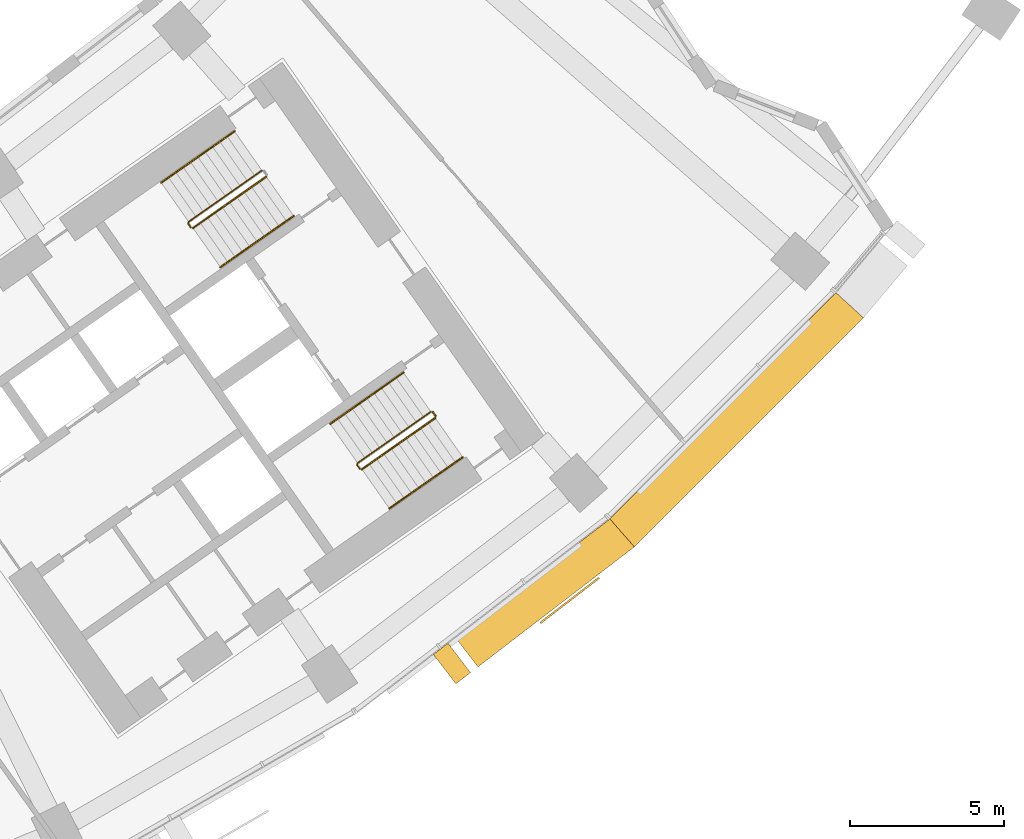
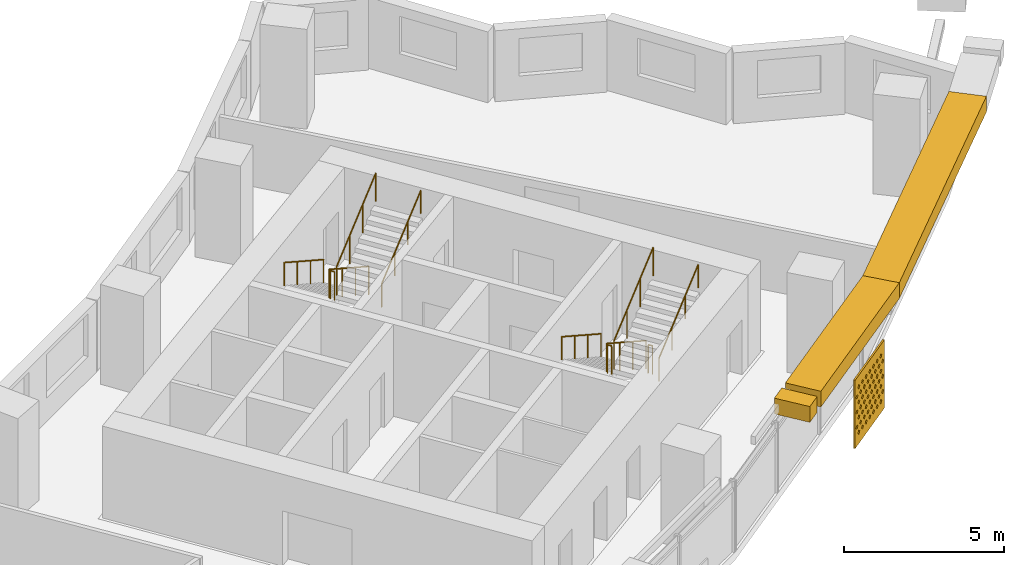
# One storey, part 28 of 29: 9 railings, 4 shading devices.
"""IFC4 building model written with IfcOpenShell, lengths in metres."""

from ifc_helpers import new_model, si_unit, direction, frame, origin, origin_2d, place, context, subcontext, project, spatial, polyline, circle, outline, extrude, material, material_profile, profile_set, type_object, element, save


model = new_model("IFC4")

# Units and contexts
model_context = context("Model", 3, precision=1e-05, world=origin(), true_north=direction((0.0, 1.0)))
body_context = subcontext(model_context, "Body", "Model", "MODEL_VIEW")
ifc_project = project(units=[si_unit("LENGTHUNIT", "METRE"), si_unit("AREAUNIT", "SQUARE_METRE"), si_unit("VOLUMEUNIT", "CUBIC_METRE"), si_unit("PLANEANGLEUNIT", "RADIAN"), si_unit("MASSUNIT", "GRAM", prefix="KILO")], contexts=[model_context])

# Site, building, storey
site_placement = place(None, origin())
site = spatial("IfcSite", under=ifc_project, at=site_placement, CompositionType="ELEMENT")
building_placement = place(site_placement, origin())
building = spatial("IfcBuilding", under=site, at=building_placement, Name="Qamariyya Broadcast Tower", CompositionType="ELEMENT")
storey_placement = place(building_placement, frame((0.0, 0.0, 121.5)))
storey = spatial("IfcBuildingStorey", under=building, at=storey_placement, Name="L27", CompositionType="ELEMENT", Elevation=121.5)

# Shading devices
ifc_material_1 = material(Name="Steel S355 powder coated deep red", Category="steel")
shading_device_type_1 = type_object("IfcShadingDeviceType", Name="Deep red frame, powder coated steel box section", PredefinedType="USERDEFINED", material=ifc_material_1)
shading_device_1_placement = place(storey_placement, frame((0.0, 0.0, 3.199951171875)))
element("IfcShadingDevice", 1, at=shading_device_1_placement, inside=storey, type_object=shading_device_type_1, Name="e-frm-B2-F4-posta-L27", ObjectType="FRAME", PredefinedType="USERDEFINED", context=body_context, shape_type="SweptSolid", body=[
    extrude(outline(polyline([(46.561767578125, -64.01318359375), (47.29248046875, -64.96533203125), (47.768310546875, -64.60009765625), (47.037841796875, -63.64794921875), (46.561767578125, -64.01318359375)])), origin(), (0.0, 0.0, 1.0), 0.60009765625),
])
shading_device_2_placement = place(storey_placement, frame((0.0, 0.0, 3.199951171875)))
element("IfcShadingDevice", 2, at=shading_device_2_placement, inside=storey, type_object=shading_device_type_1, Name="e-frm-B2-F4-bot0", ObjectType="FRAME", PredefinedType="USERDEFINED", context=body_context, shape_type="SweptSolid", body=[
    extrude(outline(polyline([(47.27587890625, -63.46533203125), (48.00634765625, -64.41748046875), (53.0791015625, -60.525146484375), (52.2861328125, -59.620849609375), (47.27587890625, -63.46533203125)])), origin(), (0.0, 0.0, 1.0), 0.60009765625),
])
shading_device_3_placement = place(storey_placement, frame((0.0, 0.0, 3.199951171875)))
element("IfcShadingDevice", 3, at=shading_device_3_placement, inside=storey, type_object=shading_device_type_1, Name="e-frm-B2-F4-bot1", ObjectType="FRAME", PredefinedType="USERDEFINED", context=body_context, shape_type="SweptSolid", body=[
    extrude(outline(polyline([(52.2861328125, -59.620849609375), (53.0791015625, -60.525146484375), (60.50537109375, -53.0986328125), (59.620849609375, -52.2861328125), (52.2861328125, -59.620849609375)])), origin(), (0.0, 0.0, 1.0), 0.60009765625),
])
ifc_material_2 = material(Name="Perforated glazed terracotta", Category="masonry")
ifc_material_profile = material_profile(ifc_material_2, outline(polyline([(-1.199951171875, -1.300048828125), (1.199951171875, -1.300048828125), (1.199951171875, 1.300048828125), (-1.199951171875, 1.300048828125), (-1.199951171875, -1.300048828125)]), holes=[polyline([(-0.81494140625, -0.86669921875), (-0.89990234375, -0.78173828125), (-0.985107421875, -0.86669921875), (-0.89990234375, -0.95166015625), (-0.81494140625, -0.86669921875)]), polyline([(-0.514892578125, -0.86669921875), (-0.60009765625, -0.78173828125), (-0.68505859375, -0.86669921875), (-0.60009765625, -0.95166015625), (-0.514892578125, -0.86669921875)]), polyline([(-0.215087890625, -0.86669921875), (-0.300048828125, -0.78173828125), (-0.385009765625, -0.86669921875), (-0.300048828125, -0.95166015625), (-0.215087890625, -0.86669921875)]), polyline([(0.0849609375, -0.86669921875), (0.0, -0.78173828125), (-0.0849609375, -0.86669921875), (0.0, -0.95166015625), (0.0849609375, -0.86669921875)]), polyline([(0.385009765625, -0.86669921875), (0.300048828125, -0.78173828125), (0.215087890625, -0.86669921875), (0.300048828125, -0.95166015625), (0.385009765625, -0.86669921875)]), polyline([(0.68505859375, -0.86669921875), (0.60009765625, -0.78173828125), (0.514892578125, -0.86669921875), (0.60009765625, -0.95166015625), (0.68505859375, -0.86669921875)]), polyline([(0.985107421875, -0.86669921875), (0.89990234375, -0.78173828125), (0.81494140625, -0.86669921875), (0.89990234375, -0.95166015625), (0.985107421875, -0.86669921875)]), polyline([(-0.965087890625, -0.577880859375), (-1.050048828125, -0.49267578125), (-1.135009765625, -0.577880859375), (-1.050048828125, -0.662841796875), (-0.965087890625, -0.577880859375)]), polyline([(-0.6650390625, -0.577880859375), (-0.75, -0.49267578125), (-0.8349609375, -0.577880859375), (-0.75, -0.662841796875), (-0.6650390625, -0.577880859375)]), polyline([(-0.364990234375, -0.577880859375), (-0.449951171875, -0.49267578125), (-0.534912109375, -0.577880859375), (-0.449951171875, -0.662841796875), (-0.364990234375, -0.577880859375)]), polyline([(-0.06494140625, -0.577880859375), (-0.14990234375, -0.49267578125), (-0.235107421875, -0.577880859375), (-0.14990234375, -0.662841796875), (-0.06494140625, -0.577880859375)]), polyline([(0.235107421875, -0.577880859375), (0.14990234375, -0.49267578125), (0.06494140625, -0.577880859375), (0.14990234375, -0.662841796875), (0.235107421875, -0.577880859375)]), polyline([(0.534912109375, -0.577880859375), (0.449951171875, -0.49267578125), (0.364990234375, -0.577880859375), (0.449951171875, -0.662841796875), (0.534912109375, -0.577880859375)]), polyline([(0.8349609375, -0.577880859375), (0.75, -0.49267578125), (0.6650390625, -0.577880859375), (0.75, -0.662841796875), (0.8349609375, -0.577880859375)]), polyline([(1.135009765625, -0.577880859375), (1.050048828125, -0.49267578125), (0.965087890625, -0.577880859375), (1.050048828125, -0.662841796875), (1.135009765625, -0.577880859375)]), polyline([(-0.81494140625, -0.288818359375), (-0.89990234375, -0.203857421875), (-0.985107421875, -0.288818359375), (-0.89990234375, -0.373779296875), (-0.81494140625, -0.288818359375)]), polyline([(-0.514892578125, -0.288818359375), (-0.60009765625, -0.203857421875), (-0.68505859375, -0.288818359375), (-0.60009765625, -0.373779296875), (-0.514892578125, -0.288818359375)]), polyline([(-0.215087890625, -0.288818359375), (-0.300048828125, -0.203857421875), (-0.385009765625, -0.288818359375), (-0.300048828125, -0.373779296875), (-0.215087890625, -0.288818359375)]), polyline([(0.0849609375, -0.288818359375), (0.0, -0.203857421875), (-0.0849609375, -0.288818359375), (0.0, -0.373779296875), (0.0849609375, -0.288818359375)]), polyline([(0.385009765625, -0.288818359375), (0.300048828125, -0.203857421875), (0.215087890625, -0.288818359375), (0.300048828125, -0.373779296875), (0.385009765625, -0.288818359375)]), polyline([(0.68505859375, -0.288818359375), (0.60009765625, -0.203857421875), (0.514892578125, -0.288818359375), (0.60009765625, -0.373779296875), (0.68505859375, -0.288818359375)]), polyline([(0.985107421875, -0.288818359375), (0.89990234375, -0.203857421875), (0.81494140625, -0.288818359375), (0.89990234375, -0.373779296875), (0.985107421875, -0.288818359375)]), polyline([(-0.965087890625, 0.0), (-1.050048828125, 0.0849609375), (-1.135009765625, 0.0), (-1.050048828125, -0.0849609375), (-0.965087890625, 0.0)]), polyline([(-0.6650390625, 0.0), (-0.75, 0.0849609375), (-0.8349609375, 0.0), (-0.75, -0.0849609375), (-0.6650390625, 0.0)]), polyline([(-0.364990234375, 0.0), (-0.449951171875, 0.0849609375), (-0.534912109375, 0.0), (-0.449951171875, -0.0849609375), (-0.364990234375, 0.0)]), polyline([(-0.06494140625, 0.0), (-0.14990234375, 0.0849609375), (-0.235107421875, 0.0), (-0.14990234375, -0.0849609375), (-0.06494140625, 0.0)]), polyline([(0.235107421875, 0.0), (0.14990234375, 0.0849609375), (0.06494140625, 0.0), (0.14990234375, -0.0849609375), (0.235107421875, 0.0)]), polyline([(0.534912109375, 0.0), (0.449951171875, 0.0849609375), (0.364990234375, 0.0), (0.449951171875, -0.0849609375), (0.534912109375, 0.0)]), polyline([(0.8349609375, 0.0), (0.75, 0.0849609375), (0.6650390625, 0.0), (0.75, -0.0849609375), (0.8349609375, 0.0)]), polyline([(1.135009765625, 0.0), (1.050048828125, 0.0849609375), (0.965087890625, 0.0), (1.050048828125, -0.0849609375), (1.135009765625, 0.0)]), polyline([(-0.81494140625, 0.288818359375), (-0.89990234375, 0.373779296875), (-0.985107421875, 0.288818359375), (-0.89990234375, 0.203857421875), (-0.81494140625, 0.288818359375)]), polyline([(-0.514892578125, 0.288818359375), (-0.60009765625, 0.373779296875), (-0.68505859375, 0.288818359375), (-0.60009765625, 0.203857421875), (-0.514892578125, 0.288818359375)]), polyline([(-0.215087890625, 0.288818359375), (-0.300048828125, 0.373779296875), (-0.385009765625, 0.288818359375), (-0.300048828125, 0.203857421875), (-0.215087890625, 0.288818359375)]), polyline([(0.0849609375, 0.288818359375), (0.0, 0.373779296875), (-0.0849609375, 0.288818359375), (0.0, 0.203857421875), (0.0849609375, 0.288818359375)]), polyline([(0.385009765625, 0.288818359375), (0.300048828125, 0.373779296875), (0.215087890625, 0.288818359375), (0.300048828125, 0.203857421875), (0.385009765625, 0.288818359375)]), polyline([(0.68505859375, 0.288818359375), (0.60009765625, 0.373779296875), (0.514892578125, 0.288818359375), (0.60009765625, 0.203857421875), (0.68505859375, 0.288818359375)]), polyline([(0.985107421875, 0.288818359375), (0.89990234375, 0.373779296875), (0.81494140625, 0.288818359375), (0.89990234375, 0.203857421875), (0.985107421875, 0.288818359375)]), polyline([(-0.965087890625, 0.577880859375), (-1.050048828125, 0.662841796875), (-1.135009765625, 0.577880859375), (-1.050048828125, 0.49267578125), (-0.965087890625, 0.577880859375)]), polyline([(-0.6650390625, 0.577880859375), (-0.75, 0.662841796875), (-0.8349609375, 0.577880859375), (-0.75, 0.49267578125), (-0.6650390625, 0.577880859375)]), polyline([(-0.364990234375, 0.577880859375), (-0.449951171875, 0.662841796875), (-0.534912109375, 0.577880859375), (-0.449951171875, 0.49267578125), (-0.364990234375, 0.577880859375)]), polyline([(-0.06494140625, 0.577880859375), (-0.14990234375, 0.662841796875), (-0.235107421875, 0.577880859375), (-0.14990234375, 0.49267578125), (-0.06494140625, 0.577880859375)]), polyline([(0.235107421875, 0.577880859375), (0.14990234375, 0.662841796875), (0.06494140625, 0.577880859375), (0.14990234375, 0.49267578125), (0.235107421875, 0.577880859375)]), polyline([(0.534912109375, 0.577880859375), (0.449951171875, 0.662841796875), (0.364990234375, 0.577880859375), (0.449951171875, 0.49267578125), (0.534912109375, 0.577880859375)]), polyline([(0.8349609375, 0.577880859375), (0.75, 0.662841796875), (0.6650390625, 0.577880859375), (0.75, 0.49267578125), (0.8349609375, 0.577880859375)]), polyline([(1.135009765625, 0.577880859375), (1.050048828125, 0.662841796875), (0.965087890625, 0.577880859375), (1.050048828125, 0.49267578125), (1.135009765625, 0.577880859375)]), polyline([(-0.81494140625, 0.86669921875), (-0.89990234375, 0.95166015625), (-0.985107421875, 0.86669921875), (-0.89990234375, 0.78173828125), (-0.81494140625, 0.86669921875)]), polyline([(-0.514892578125, 0.86669921875), (-0.60009765625, 0.95166015625), (-0.68505859375, 0.86669921875), (-0.60009765625, 0.78173828125), (-0.514892578125, 0.86669921875)]), polyline([(-0.215087890625, 0.86669921875), (-0.300048828125, 0.95166015625), (-0.385009765625, 0.86669921875), (-0.300048828125, 0.78173828125), (-0.215087890625, 0.86669921875)]), polyline([(0.0849609375, 0.86669921875), (0.0, 0.95166015625), (-0.0849609375, 0.86669921875), (0.0, 0.78173828125), (0.0849609375, 0.86669921875)]), polyline([(0.385009765625, 0.86669921875), (0.300048828125, 0.95166015625), (0.215087890625, 0.86669921875), (0.300048828125, 0.78173828125), (0.385009765625, 0.86669921875)]), polyline([(0.68505859375, 0.86669921875), (0.60009765625, 0.95166015625), (0.514892578125, 0.86669921875), (0.60009765625, 0.78173828125), (0.68505859375, 0.86669921875)]), polyline([(0.985107421875, 0.86669921875), (0.89990234375, 0.95166015625), (0.81494140625, 0.86669921875), (0.89990234375, 0.78173828125), (0.985107421875, 0.86669921875)])]))
ifc_profile_set = profile_set([ifc_material_profile], Name="Perforated glazed terracotta")
shading_device_type_2 = type_object("IfcShadingDeviceType", Name="Perforated terracotta screen 2400 x 2600", PredefinedType="USERDEFINED", material=ifc_profile_set)
shading_device_4_placement = place(storey_placement, frame((50.96484375, -62.235595703125, 1.35009765625), z_axis=(0.60971076085, -0.792623989105, 0.0), x_axis=(0.792623989105, 0.60971076085, 0.0)))
element("IfcShadingDevice", 4, at=shading_device_4_placement, inside=storey, type_object=shading_device_type_2, Name="e-scr-L27-14-2", ObjectType="SCREEN", PredefinedType="USERDEFINED", context=body_context, shape_type="SweptSolid", body=[
    extrude(outline(polyline([(-1.199951171875, -1.300048828125), (1.199951171875, -1.300048828125), (1.199951171875, 1.300048828125), (-1.199951171875, 1.300048828125), (-1.199951171875, -1.300048828125)]), holes=[polyline([(-0.81494140625, -0.86669921875), (-0.89990234375, -0.78173828125), (-0.985107421875, -0.86669921875), (-0.89990234375, -0.95166015625), (-0.81494140625, -0.86669921875)]), polyline([(-0.514892578125, -0.86669921875), (-0.60009765625, -0.78173828125), (-0.68505859375, -0.86669921875), (-0.60009765625, -0.95166015625), (-0.514892578125, -0.86669921875)]), polyline([(-0.215087890625, -0.86669921875), (-0.300048828125, -0.78173828125), (-0.385009765625, -0.86669921875), (-0.300048828125, -0.95166015625), (-0.215087890625, -0.86669921875)]), polyline([(0.0849609375, -0.86669921875), (0.0, -0.78173828125), (-0.0849609375, -0.86669921875), (0.0, -0.95166015625), (0.0849609375, -0.86669921875)]), polyline([(0.385009765625, -0.86669921875), (0.300048828125, -0.78173828125), (0.215087890625, -0.86669921875), (0.300048828125, -0.95166015625), (0.385009765625, -0.86669921875)]), polyline([(0.68505859375, -0.86669921875), (0.60009765625, -0.78173828125), (0.514892578125, -0.86669921875), (0.60009765625, -0.95166015625), (0.68505859375, -0.86669921875)]), polyline([(0.985107421875, -0.86669921875), (0.89990234375, -0.78173828125), (0.81494140625, -0.86669921875), (0.89990234375, -0.95166015625), (0.985107421875, -0.86669921875)]), polyline([(-0.965087890625, -0.577880859375), (-1.050048828125, -0.49267578125), (-1.135009765625, -0.577880859375), (-1.050048828125, -0.662841796875), (-0.965087890625, -0.577880859375)]), polyline([(-0.6650390625, -0.577880859375), (-0.75, -0.49267578125), (-0.8349609375, -0.577880859375), (-0.75, -0.662841796875), (-0.6650390625, -0.577880859375)]), polyline([(-0.364990234375, -0.577880859375), (-0.449951171875, -0.49267578125), (-0.534912109375, -0.577880859375), (-0.449951171875, -0.662841796875), (-0.364990234375, -0.577880859375)]), polyline([(-0.06494140625, -0.577880859375), (-0.14990234375, -0.49267578125), (-0.235107421875, -0.577880859375), (-0.14990234375, -0.662841796875), (-0.06494140625, -0.577880859375)]), polyline([(0.235107421875, -0.577880859375), (0.14990234375, -0.49267578125), (0.06494140625, -0.577880859375), (0.14990234375, -0.662841796875), (0.235107421875, -0.577880859375)]), polyline([(0.534912109375, -0.577880859375), (0.449951171875, -0.49267578125), (0.364990234375, -0.577880859375), (0.449951171875, -0.662841796875), (0.534912109375, -0.577880859375)]), polyline([(0.8349609375, -0.577880859375), (0.75, -0.49267578125), (0.6650390625, -0.577880859375), (0.75, -0.662841796875), (0.8349609375, -0.577880859375)]), polyline([(1.135009765625, -0.577880859375), (1.050048828125, -0.49267578125), (0.965087890625, -0.577880859375), (1.050048828125, -0.662841796875), (1.135009765625, -0.577880859375)]), polyline([(-0.81494140625, -0.288818359375), (-0.89990234375, -0.203857421875), (-0.985107421875, -0.288818359375), (-0.89990234375, -0.373779296875), (-0.81494140625, -0.288818359375)]), polyline([(-0.514892578125, -0.288818359375), (-0.60009765625, -0.203857421875), (-0.68505859375, -0.288818359375), (-0.60009765625, -0.373779296875), (-0.514892578125, -0.288818359375)]), polyline([(-0.215087890625, -0.288818359375), (-0.300048828125, -0.203857421875), (-0.385009765625, -0.288818359375), (-0.300048828125, -0.373779296875), (-0.215087890625, -0.288818359375)]), polyline([(0.0849609375, -0.288818359375), (0.0, -0.203857421875), (-0.0849609375, -0.288818359375), (0.0, -0.373779296875), (0.0849609375, -0.288818359375)]), polyline([(0.385009765625, -0.288818359375), (0.300048828125, -0.203857421875), (0.215087890625, -0.288818359375), (0.300048828125, -0.373779296875), (0.385009765625, -0.288818359375)]), polyline([(0.68505859375, -0.288818359375), (0.60009765625, -0.203857421875), (0.514892578125, -0.288818359375), (0.60009765625, -0.373779296875), (0.68505859375, -0.288818359375)]), polyline([(0.985107421875, -0.288818359375), (0.89990234375, -0.203857421875), (0.81494140625, -0.288818359375), (0.89990234375, -0.373779296875), (0.985107421875, -0.288818359375)]), polyline([(-0.965087890625, 0.0), (-1.050048828125, 0.0849609375), (-1.135009765625, 0.0), (-1.050048828125, -0.0849609375), (-0.965087890625, 0.0)]), polyline([(-0.6650390625, 0.0), (-0.75, 0.0849609375), (-0.8349609375, 0.0), (-0.75, -0.0849609375), (-0.6650390625, 0.0)]), polyline([(-0.364990234375, 0.0), (-0.449951171875, 0.0849609375), (-0.534912109375, 0.0), (-0.449951171875, -0.0849609375), (-0.364990234375, 0.0)]), polyline([(-0.06494140625, 0.0), (-0.14990234375, 0.0849609375), (-0.235107421875, 0.0), (-0.14990234375, -0.0849609375), (-0.06494140625, 0.0)]), polyline([(0.235107421875, 0.0), (0.14990234375, 0.0849609375), (0.06494140625, 0.0), (0.14990234375, -0.0849609375), (0.235107421875, 0.0)]), polyline([(0.534912109375, 0.0), (0.449951171875, 0.0849609375), (0.364990234375, 0.0), (0.449951171875, -0.0849609375), (0.534912109375, 0.0)]), polyline([(0.8349609375, 0.0), (0.75, 0.0849609375), (0.6650390625, 0.0), (0.75, -0.0849609375), (0.8349609375, 0.0)]), polyline([(1.135009765625, 0.0), (1.050048828125, 0.0849609375), (0.965087890625, 0.0), (1.050048828125, -0.0849609375), (1.135009765625, 0.0)]), polyline([(-0.81494140625, 0.288818359375), (-0.89990234375, 0.373779296875), (-0.985107421875, 0.288818359375), (-0.89990234375, 0.203857421875), (-0.81494140625, 0.288818359375)]), polyline([(-0.514892578125, 0.288818359375), (-0.60009765625, 0.373779296875), (-0.68505859375, 0.288818359375), (-0.60009765625, 0.203857421875), (-0.514892578125, 0.288818359375)]), polyline([(-0.215087890625, 0.288818359375), (-0.300048828125, 0.373779296875), (-0.385009765625, 0.288818359375), (-0.300048828125, 0.203857421875), (-0.215087890625, 0.288818359375)]), polyline([(0.0849609375, 0.288818359375), (0.0, 0.373779296875), (-0.0849609375, 0.288818359375), (0.0, 0.203857421875), (0.0849609375, 0.288818359375)]), polyline([(0.385009765625, 0.288818359375), (0.300048828125, 0.373779296875), (0.215087890625, 0.288818359375), (0.300048828125, 0.203857421875), (0.385009765625, 0.288818359375)]), polyline([(0.68505859375, 0.288818359375), (0.60009765625, 0.373779296875), (0.514892578125, 0.288818359375), (0.60009765625, 0.203857421875), (0.68505859375, 0.288818359375)]), polyline([(0.985107421875, 0.288818359375), (0.89990234375, 0.373779296875), (0.81494140625, 0.288818359375), (0.89990234375, 0.203857421875), (0.985107421875, 0.288818359375)]), polyline([(-0.965087890625, 0.577880859375), (-1.050048828125, 0.662841796875), (-1.135009765625, 0.577880859375), (-1.050048828125, 0.49267578125), (-0.965087890625, 0.577880859375)]), polyline([(-0.6650390625, 0.577880859375), (-0.75, 0.662841796875), (-0.8349609375, 0.577880859375), (-0.75, 0.49267578125), (-0.6650390625, 0.577880859375)]), polyline([(-0.364990234375, 0.577880859375), (-0.449951171875, 0.662841796875), (-0.534912109375, 0.577880859375), (-0.449951171875, 0.49267578125), (-0.364990234375, 0.577880859375)]), polyline([(-0.06494140625, 0.577880859375), (-0.14990234375, 0.662841796875), (-0.235107421875, 0.577880859375), (-0.14990234375, 0.49267578125), (-0.06494140625, 0.577880859375)]), polyline([(0.235107421875, 0.577880859375), (0.14990234375, 0.662841796875), (0.06494140625, 0.577880859375), (0.14990234375, 0.49267578125), (0.235107421875, 0.577880859375)]), polyline([(0.534912109375, 0.577880859375), (0.449951171875, 0.662841796875), (0.364990234375, 0.577880859375), (0.449951171875, 0.49267578125), (0.534912109375, 0.577880859375)]), polyline([(0.8349609375, 0.577880859375), (0.75, 0.662841796875), (0.6650390625, 0.577880859375), (0.75, 0.49267578125), (0.8349609375, 0.577880859375)]), polyline([(1.135009765625, 0.577880859375), (1.050048828125, 0.662841796875), (0.965087890625, 0.577880859375), (1.050048828125, 0.49267578125), (1.135009765625, 0.577880859375)]), polyline([(-0.81494140625, 0.86669921875), (-0.89990234375, 0.95166015625), (-0.985107421875, 0.86669921875), (-0.89990234375, 0.78173828125), (-0.81494140625, 0.86669921875)]), polyline([(-0.514892578125, 0.86669921875), (-0.60009765625, 0.95166015625), (-0.68505859375, 0.86669921875), (-0.60009765625, 0.78173828125), (-0.514892578125, 0.86669921875)]), polyline([(-0.215087890625, 0.86669921875), (-0.300048828125, 0.95166015625), (-0.385009765625, 0.86669921875), (-0.300048828125, 0.78173828125), (-0.215087890625, 0.86669921875)]), polyline([(0.0849609375, 0.86669921875), (0.0, 0.95166015625), (-0.0849609375, 0.86669921875), (0.0, 0.78173828125), (0.0849609375, 0.86669921875)]), polyline([(0.385009765625, 0.86669921875), (0.300048828125, 0.95166015625), (0.215087890625, 0.86669921875), (0.300048828125, 0.78173828125), (0.385009765625, 0.86669921875)]), polyline([(0.68505859375, 0.86669921875), (0.60009765625, 0.95166015625), (0.514892578125, 0.86669921875), (0.60009765625, 0.78173828125), (0.68505859375, 0.86669921875)]), polyline([(0.985107421875, 0.86669921875), (0.89990234375, 0.95166015625), (0.81494140625, 0.86669921875), (0.89990234375, 0.78173828125), (0.985107421875, 0.86669921875)])]), origin(), (0.0, 0.0, 1.0), 0.06005859375),
])

# Railings
ifc_material_3 = material(Name="Painted steel", Category="steel")
railing_type_1 = type_object("IfcRailingType", Name="Stair guard", PredefinedType="GUARDRAIL", material=ifc_material_3)
railing_1_placement = place(storey_placement, frame((41.003173828125, -48.320068359375, 0.172607421875)))
element("IfcRailing", 5, at=railing_1_placement, inside=storey, type_object=railing_type_1, Name="L27 ST-E2 stair guard 1", PredefinedType="GUARDRAIL", context=body_context, shape_type="SweptSolid", body=[
    extrude(circle(Radius=0.02392578125, at=origin_2d()), frame((0.0, 0.0, 1.076171875), z_axis=(-0.703770094002, -0.492783725636, 0.511734163933), x_axis=(0.573575343427, -0.819152809562, 0.0)), (0.0, 0.0, 1.0), 3.37548828125),
    extrude(circle(Radius=0.02392578125, at=origin_2d()), frame((-2.37548828125, -1.663330078125, 2.80322265625), z_axis=(-0.172799478008, -0.984957024646, 0.0), x_axis=(0.984957024646, -0.172799478008, 0.0)), (0.0, 0.0, 1.0), 0.070556640625),
    extrude(circle(Radius=0.02392578125, at=origin_2d()), frame((-2.3876953125, -1.73291015625, 2.80322265625), z_axis=(0.572588637393, -0.819842821722, 0.0), x_axis=(0.819842821722, 0.572588637393, 0.0)), (0.0, 0.0, 1.0), 0.150146484375),
    extrude(circle(Radius=0.02099609375, at=origin_2d()), origin(), (0.0, 0.0, 1.0), 1.052001953125),
    extrude(circle(Radius=0.02099609375, at=origin_2d()), frame((-0.791748046875, -0.554443359375, 0.57568359375)), (0.0, 0.0, 1.0), 1.052001953125),
    extrude(circle(Radius=0.02099609375, at=origin_2d()), frame((-1.583740234375, -1.10888671875, 1.151611328125)), (0.0, 0.0, 1.0), 1.052001953125),
    extrude(circle(Radius=0.02099609375, at=origin_2d()), frame((-2.37548828125, -1.663330078125, 1.727294921875)), (0.0, 0.0, 1.0), 1.052001953125),
    extrude(circle(Radius=0.02099609375, at=origin_2d()), frame((-2.3876953125, -1.73291015625, 1.727294921875)), (0.0, 0.0, 1.0), 1.052001953125),
    extrude(circle(Radius=0.02099609375, at=origin_2d()), frame((-2.3017578125, -1.85595703125, 1.727294921875)), (0.0, 0.0, 1.0), 1.052001953125),
])
railing_2_placement = place(storey_placement, frame((38.771240234375, -50.188232421875, 2.07275390625)))
element("IfcRailing", 6, at=railing_2_placement, inside=storey, type_object=railing_type_1, Name="L27 ST-E2 stair guard 2", PredefinedType="GUARDRAIL", context=body_context, shape_type="SweptSolid", body=[
    extrude(circle(Radius=0.02392578125, at=origin_2d()), frame((0.0, 0.0, 1.076171875), z_axis=(0.703770094002, 0.492783725636, 0.511734163933), x_axis=(-0.573575343427, 0.819152809562, 0.0)), (0.0, 0.0, 1.0), 3.37548828125),
    extrude(circle(Radius=0.02099609375, at=origin_2d()), origin(), (0.0, 0.0, 1.0), 1.052001953125),
    extrude(circle(Radius=0.02099609375, at=origin_2d()), frame((0.791748046875, 0.554443359375, 0.57568359375)), (0.0, 0.0, 1.0), 1.052001953125),
    extrude(circle(Radius=0.02099609375, at=origin_2d()), frame((1.583740234375, 1.10888671875, 1.151611328125)), (0.0, 0.0, 1.0), 1.052001953125),
    extrude(circle(Radius=0.02099609375, at=origin_2d()), frame((2.37548828125, 1.663330078125, 1.727294921875)), (0.0, 0.0, 1.0), 1.052001953125),
])
railing_3_placement = place(storey_placement, frame((46.48095703125, -56.14306640625, 0.172607421875)))
element("IfcRailing", 7, at=railing_3_placement, inside=storey, type_object=railing_type_1, Name="L27 ST-E1 stair guard 1", PredefinedType="GUARDRAIL", context=body_context, shape_type="SweptSolid", body=[
    extrude(circle(Radius=0.02392578125, at=origin_2d()), frame((0.0, 0.0, 1.076171875), z_axis=(-0.703770094002, -0.492783725636, 0.511734163933), x_axis=(0.573575343427, -0.819152809562, 0.0)), (0.0, 0.0, 1.0), 3.37548828125),
    extrude(circle(Radius=0.02392578125, at=origin_2d()), frame((-2.37548828125, -1.663330078125, 2.80322265625), z_axis=(-0.176149252506, -0.984363469884, 0.0), x_axis=(0.984363469884, -0.176149252506, 0.0)), (0.0, 0.0, 1.0), 0.07080078125),
    extrude(circle(Radius=0.02392578125, at=origin_2d()), frame((-2.387939453125, -1.73291015625, 2.80322265625), z_axis=(0.574444878118, -0.818543268254, 0.0), x_axis=(0.818543268254, 0.574444878118, 0.0)), (0.0, 0.0, 1.0), 0.150146484375),
    extrude(circle(Radius=0.02099609375, at=origin_2d()), origin(), (0.0, 0.0, 1.0), 1.052001953125),
    extrude(circle(Radius=0.02099609375, at=origin_2d()), frame((-0.791748046875, -0.554443359375, 0.57568359375)), (0.0, 0.0, 1.0), 1.052001953125),
    extrude(circle(Radius=0.02099609375, at=origin_2d()), frame((-1.583740234375, -1.10888671875, 1.151611328125)), (0.0, 0.0, 1.0), 1.052001953125),
    extrude(circle(Radius=0.02099609375, at=origin_2d()), frame((-2.37548828125, -1.663330078125, 1.727294921875)), (0.0, 0.0, 1.0), 1.052001953125),
    extrude(circle(Radius=0.02099609375, at=origin_2d()), frame((-2.387939453125, -1.73291015625, 1.727294921875)), (0.0, 0.0, 1.0), 1.052001953125),
    extrude(circle(Radius=0.02099609375, at=origin_2d()), frame((-2.3017578125, -1.855712890625, 1.727294921875)), (0.0, 0.0, 1.0), 1.052001953125),
])
railing_4_placement = place(storey_placement, frame((44.248779296875, -58.01123046875, 2.07275390625)))
element("IfcRailing", 8, at=railing_4_placement, inside=storey, type_object=railing_type_1, Name="L27 ST-E1 stair guard 2", PredefinedType="GUARDRAIL", context=body_context, shape_type="SweptSolid", body=[
    extrude(circle(Radius=0.02392578125, at=origin_2d()), frame((0.0, 0.0, 1.076171875), z_axis=(0.703745009021, 0.492838488332, 0.511715923826), x_axis=(-0.573631830683, 0.819113253969, 0.0)), (0.0, 0.0, 1.0), 3.37548828125),
    extrude(circle(Radius=0.02099609375, at=origin_2d()), origin(), (0.0, 0.0, 1.0), 1.052001953125),
    extrude(circle(Radius=0.02099609375, at=origin_2d()), frame((0.791748046875, 0.554443359375, 0.57568359375)), (0.0, 0.0, 1.0), 1.052001953125),
    extrude(circle(Radius=0.02099609375, at=origin_2d()), frame((1.583740234375, 1.109130859375, 1.151611328125)), (0.0, 0.0, 1.0), 1.052001953125),
    extrude(circle(Radius=0.02099609375, at=origin_2d()), frame((2.37548828125, 1.66357421875, 1.727294921875)), (0.0, 0.0, 1.0), 1.052001953125),
])
railing_5_placement = place(storey_placement, frame((46.550537109375, -56.1552734375, 0.0)))
element("IfcRailing", 9, at=railing_5_placement, inside=storey, type_object=railing_type_1, Name="L27 ST-E1 stair guard 3", PredefinedType="GUARDRAIL", context=body_context, shape_type="SweptSolid", body=[
    extrude(circle(Radius=0.02392578125, at=origin_2d()), frame((0.0, 0.0, 1.076171875), z_axis=(0.574444878118, -0.818543268254, 0.0), x_axis=(0.818543268254, 0.574444878118, 0.0)), (0.0, 0.0, 1.0), 0.150146484375),
    extrude(circle(Radius=0.02099609375, at=origin_2d()), origin(), (0.0, 0.0, 1.0), 1.052001953125),
    extrude(circle(Radius=0.02099609375, at=origin_2d()), frame((0.086181640625, -0.122802734375, 0.0)), (0.0, 0.0, 1.0), 1.052001953125),
])
ifc_material_4 = material(Name="Stainless steel", Category="steel")
railing_type_2 = type_object("IfcRailingType", Name="Stair handrail", PredefinedType="HANDRAIL", material=ifc_material_4)
railing_6_placement = place(storey_placement, frame((40.1142578125, -47.05029296875, 0.172607421875)))
element("IfcRailing", 10, at=railing_6_placement, inside=storey, type_object=railing_type_2, Name="L27 ST-E2 stair handrail 1", PredefinedType="HANDRAIL", context=body_context, shape_type="SweptSolid", body=[
    extrude(circle(Radius=0.02392578125, at=origin_2d()), frame((0.0, 0.0, 0.8759765625), z_axis=(-0.703745009021, -0.492838488332, 0.511715923826), x_axis=(0.573631830683, -0.819113253969, 0.0)), (0.0, 0.0, 1.0), 3.37548828125),
    extrude(circle(Radius=0.02099609375, at=origin_2d()), origin(), (0.0, 0.0, 1.0), 0.851806640625),
    extrude(circle(Radius=0.02099609375, at=origin_2d()), frame((-0.791748046875, -0.554443359375, 0.57568359375)), (0.0, 0.0, 1.0), 0.851806640625),
    extrude(circle(Radius=0.02099609375, at=origin_2d()), frame((-1.583740234375, -1.109130859375, 1.151611328125)), (0.0, 0.0, 1.0), 0.851806640625),
    extrude(circle(Radius=0.02099609375, at=origin_2d()), frame((-2.37548828125, -1.66357421875, 1.727294921875)), (0.0, 0.0, 1.0), 0.851806640625),
])
railing_7_placement = place(storey_placement, frame((39.66015625, -51.4580078125, 2.07275390625)))
element("IfcRailing", 11, at=railing_7_placement, inside=storey, type_object=railing_type_2, Name="L27 ST-E2 stair handrail 2", PredefinedType="HANDRAIL", context=body_context, shape_type="SweptSolid", body=[
    extrude(circle(Radius=0.02392578125, at=origin_2d()), frame((0.0, 0.0, 0.8759765625), z_axis=(0.703745009021, 0.492838488332, 0.511715923826), x_axis=(-0.573631830683, 0.819113253969, 0.0)), (0.0, 0.0, 1.0), 3.37548828125),
    extrude(circle(Radius=0.02099609375, at=origin_2d()), origin(), (0.0, 0.0, 1.0), 0.851806640625),
    extrude(circle(Radius=0.02099609375, at=origin_2d()), frame((0.791748046875, 0.554443359375, 0.57568359375)), (0.0, 0.0, 1.0), 0.851806640625),
    extrude(circle(Radius=0.02099609375, at=origin_2d()), frame((1.583740234375, 1.109130859375, 1.151611328125)), (0.0, 0.0, 1.0), 0.851806640625),
    extrude(circle(Radius=0.02099609375, at=origin_2d()), frame((2.37548828125, 1.66357421875, 1.727294921875)), (0.0, 0.0, 1.0), 0.851806640625),
])
railing_8_placement = place(storey_placement, frame((45.591796875, -54.873291015625, 0.172607421875)))
element("IfcRailing", 12, at=railing_8_placement, inside=storey, type_object=railing_type_2, Name="L27 ST-E1 stair handrail 1", PredefinedType="HANDRAIL", context=body_context, shape_type="SweptSolid", body=[
    extrude(circle(Radius=0.02392578125, at=origin_2d()), frame((0.0, 0.0, 0.8759765625), z_axis=(-0.703770094002, -0.492783725636, 0.511734163933), x_axis=(0.573575343427, -0.819152809562, 0.0)), (0.0, 0.0, 1.0), 3.37548828125),
    extrude(circle(Radius=0.02099609375, at=origin_2d()), origin(), (0.0, 0.0, 1.0), 0.851806640625),
    extrude(circle(Radius=0.02099609375, at=origin_2d()), frame((-0.791748046875, -0.554443359375, 0.57568359375)), (0.0, 0.0, 1.0), 0.851806640625),
    extrude(circle(Radius=0.02099609375, at=origin_2d()), frame((-1.583740234375, -1.10888671875, 1.151611328125)), (0.0, 0.0, 1.0), 0.851806640625),
    extrude(circle(Radius=0.02099609375, at=origin_2d()), frame((-2.37548828125, -1.663330078125, 1.727294921875)), (0.0, 0.0, 1.0), 0.851806640625),
])
railing_9_placement = place(storey_placement, frame((45.137939453125, -59.28076171875, 2.07275390625)))
element("IfcRailing", 13, at=railing_9_placement, inside=storey, type_object=railing_type_2, Name="L27 ST-E1 stair handrail 2", PredefinedType="HANDRAIL", context=body_context, shape_type="SweptSolid", body=[
    extrude(circle(Radius=0.02392578125, at=origin_2d()), frame((0.0, 0.0, 0.8759765625), z_axis=(0.703770094002, 0.492783725636, 0.511734163933), x_axis=(-0.573575343427, 0.819152809562, 0.0)), (0.0, 0.0, 1.0), 3.37548828125),
    extrude(circle(Radius=0.02099609375, at=origin_2d()), origin(), (0.0, 0.0, 1.0), 0.851806640625),
    extrude(circle(Radius=0.02099609375, at=origin_2d()), frame((0.791748046875, 0.554443359375, 0.57568359375)), (0.0, 0.0, 1.0), 0.851806640625),
    extrude(circle(Radius=0.02099609375, at=origin_2d()), frame((1.583740234375, 1.10888671875, 1.151611328125)), (0.0, 0.0, 1.0), 0.851806640625),
    extrude(circle(Radius=0.02099609375, at=origin_2d()), frame((2.37548828125, 1.663330078125, 1.727294921875)), (0.0, 0.0, 1.0), 0.851806640625),
])

save(model, "model.ifc")
